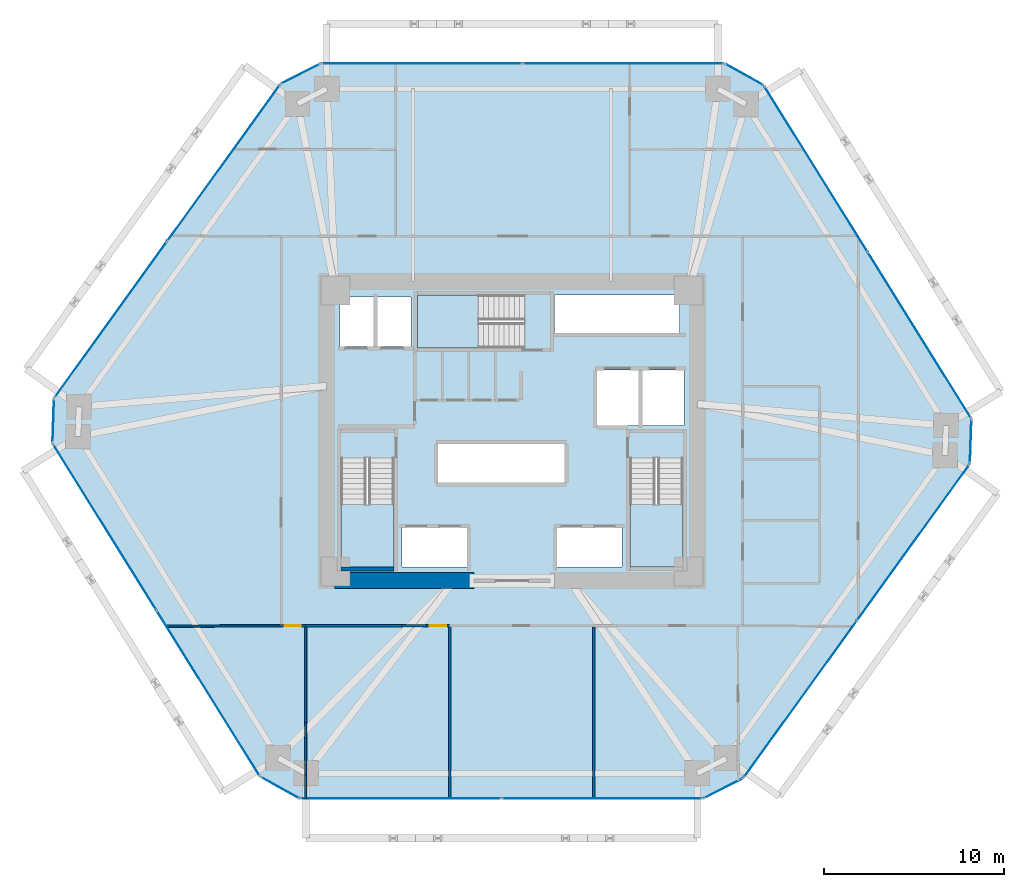
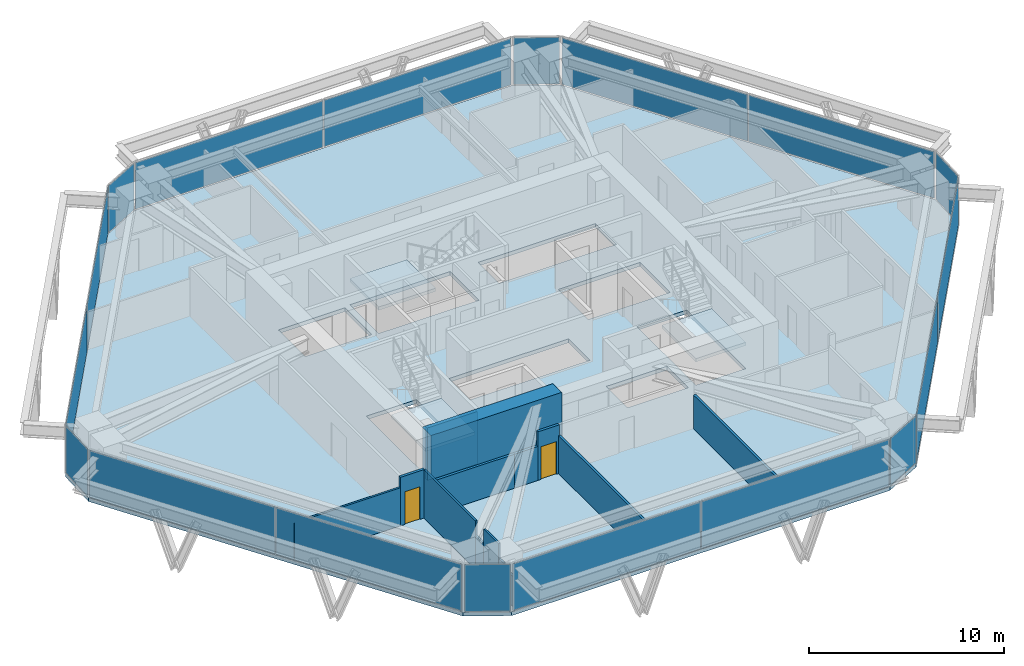
# One storey, part 10 of 15: 18 plates, 14 walls, 4 slabs, 2 doors, 2 openings, 15 elements without a shape of their own.
"""IFC4 building model written with IfcOpenShell, lengths in metres."""

from ifc_helpers import new_model, si_unit, direction, frame, frame_2d, origin, origin_2d, place, context, subcontext, project, spatial, polyline, rectangle, outline, extrude, source, transform, mapped, material, layer, layer_set, type_object, type_shapes, element, fill, aggregate, save


model = new_model("IFC4")

# Units and contexts
model_context = context("Model", 3, precision=1e-05, world=origin(), true_north=direction((0.0, 1.0)))
body_context = subcontext(model_context, "Body", "Model", "MODEL_VIEW")
ifc_project = project(units=[si_unit("LENGTHUNIT", "METRE"), si_unit("AREAUNIT", "SQUARE_METRE"), si_unit("VOLUMEUNIT", "CUBIC_METRE"), si_unit("PLANEANGLEUNIT", "RADIAN"), si_unit("MASSUNIT", "GRAM", prefix="KILO")], contexts=[model_context])

# Site, building, storey
site_placement = place(None, origin())
site = spatial("IfcSite", under=ifc_project, at=site_placement, CompositionType="ELEMENT")
building_placement = place(site_placement, origin())
building = spatial("IfcBuilding", under=site, at=building_placement, Name="Durnholm Broadcast Tower", CompositionType="ELEMENT")
storey_placement = place(building_placement, frame((0.0, 0.0, 55.5)))
storey = spatial("IfcBuildingStorey", under=building, at=storey_placement, Name="L13", CompositionType="ELEMENT", Elevation=55.5)

# Slab
ifc_material_1 = material(Name="Concrete C50/60", Category="concrete")
ifc_layer_1 = layer(ifc_material_1, 0.239990234375)
ifc_layer_set_1 = layer_set([ifc_layer_1], Name="Concrete C50/60")
slab_type_1 = type_object("IfcSlabType", Name="SLAB-FLR-240", PredefinedType="FLOOR", material=ifc_layer_set_1)
slab_1_placement = place(storey_placement, frame((0.0, 0.0, -0.239990234375)))
element("IfcSlab", 1, at=slab_1_placement, inside=storey, type_object=slab_type_1, Name="L13 structural floor slab", PredefinedType="FLOOR", context=body_context, shape_type="SweptSolid", body=[
    extrude(outline(polyline([(-13.9794921875, -19.186279296875), (-11.793701171875, -20.39990234375), (10.6201171875, -20.39990234375), (12.845703125, -19.260986328125), (25.419921875, -1.820556640625), (25.50439453125, 0.677978515625), (13.9794921875, 19.186279296875), (11.793701171875, 20.39990234375), (-10.6201171875, 20.39990234375), (-12.845703125, 19.260986328125), (-25.419921875, 1.820556640625), (-25.50439453125, -0.677978515625), (-13.9794921875, -19.186279296875)]), holes=[polyline([(-2.5, -5.35009765625), (-6.10009765625, -5.35009765625), (-6.10009765625, -7.550048828125), (-2.5, -7.550048828125), (-2.5, -5.35009765625)]), polyline([(6.10009765625, -5.35009765625), (2.5, -5.35009765625), (2.5, -7.550048828125), (6.10009765625, -7.550048828125), (6.10009765625, -5.35009765625)]), polyline([(-6.5400390625, -7.550048828125), (-6.5400390625, -1.5), (-9.5, -1.5), (-9.5, -7.550048828125), (-6.5400390625, -7.550048828125)]), polyline([(9.5, -7.550048828125), (9.5, -1.5), (6.5400390625, -1.5), (6.5400390625, -7.550048828125), (9.5, -7.550048828125)]), polyline([(2.949951171875, -0.699951171875), (-4.14990234375, -0.699951171875), (-4.14990234375, -2.89990234375), (2.949951171875, -2.89990234375), (2.949951171875, -0.699951171875)]), polyline([(9.550048828125, 3.39990234375), (4.699951171875, 3.39990234375), (4.699951171875, 0.300048828125), (9.550048828125, 0.300048828125), (9.550048828125, 3.39990234375)]), polyline([(-5.60009765625, 7.449951171875), (-9.550048828125, 7.449951171875), (-9.550048828125, 4.699951171875), (-5.60009765625, 4.699951171875), (-5.60009765625, 7.449951171875)]), polyline([(-5.25, 7.56005859375), (-5.25, 4.60009765625), (0.699951171875, 4.60009765625), (0.699951171875, 7.56005859375), (-5.25, 7.56005859375)]), polyline([(9.31005859375, 5.39990234375), (9.31005859375, 7.550048828125), (2.35009765625, 7.550048828125), (2.35009765625, 5.39990234375), (9.31005859375, 5.39990234375)])]), origin(), (0.0, 0.0, 1.0), 0.239990234375),
])

# Stair, slab
stair_type = type_object("IfcStairType", Name="STAIR-DL-20R1650", PredefinedType="HALF_TURN_STAIR", material=ifc_material_1)
stair_1_placement = place(storey_placement, origin())
stair_1 = element("IfcStair", 2, at=stair_1_placement, inside=storey, type_object=stair_type, Name="L13 ST-1", PredefinedType="HALF_TURN_STAIR")
ifc_layer_2 = layer(ifc_material_1, 0.199951171875)
ifc_layer_set_2 = layer_set([ifc_layer_2], Name="Concrete C50/60")
slab_type_2 = type_object("IfcSlabType", Name="SLAB-LND-200", PredefinedType="LANDING", material=ifc_layer_set_2)
slab_2_placement = place(storey_placement, frame((0.0, 0.0, 1.449951171875)))
slab_2 = element("IfcSlab", 3, at=slab_2_placement, type_object=slab_type_2, Name="ST-1 landing 1", PredefinedType="LANDING", context=body_context, shape_type="SweptSolid", body=[
    extrude(outline(polyline([(-9.5, -4.06494140625), (-9.5, -7.550048828125), (-6.5400390625, -7.550048828125), (-6.5400390625, -4.06494140625), (-9.5, -4.06494140625)])), origin(), (0.0, 0.0, 1.0), 0.199951171875),
])
aggregate(stair_1, [slab_2])

stair_2_placement = place(storey_placement, origin())
stair_2 = element("IfcStair", 4, at=stair_2_placement, inside=storey, type_object=stair_type, Name="L13 ST-2", PredefinedType="HALF_TURN_STAIR")
slab_3_placement = place(storey_placement, frame((0.0, 0.0, 1.449951171875)))
slab_3 = element("IfcSlab", 5, at=slab_3_placement, type_object=slab_type_2, Name="ST-2 landing 1", PredefinedType="LANDING", context=body_context, shape_type="SweptSolid", body=[
    extrude(outline(polyline([(6.5400390625, -4.06494140625), (6.5400390625, -7.550048828125), (9.5, -7.550048828125), (9.5, -4.06494140625), (6.5400390625, -4.06494140625)])), origin(), (0.0, 0.0, 1.0), 0.199951171875),
])
aggregate(stair_2, [slab_3])

stair_3_placement = place(storey_placement, origin())
stair_3 = element("IfcStair", 6, at=stair_3_placement, inside=storey, type_object=stair_type, Name="L13 ST-3", PredefinedType="HALF_TURN_STAIR")
slab_4_placement = place(storey_placement, frame((0.0, 0.0, 1.449951171875)))
slab_4 = element("IfcSlab", 7, at=slab_4_placement, type_object=slab_type_2, Name="ST-3 landing 1", PredefinedType="LANDING", context=body_context, shape_type="SweptSolid", body=[
    extrude(outline(polyline([(-1.864990234375, 7.56005859375), (-5.25, 7.56005859375), (-5.25, 4.60009765625), (-1.864990234375, 4.60009765625), (-1.864990234375, 7.56005859375)])), origin(), (0.0, 0.0, 1.0), 0.199951171875),
])
aggregate(stair_3, [slab_4])

# Curtain wall, plate
ifc_material_2 = material(Name="Aluminium and Solar Control IGU", Category="aluminium")
ifc_layer_3 = layer(ifc_material_2, 0.1650390625)
ifc_layer_set_3 = layer_set([ifc_layer_3], Name="Aluminium and Solar Control IGU")
curtain_wall_type_1 = type_object("IfcCurtainWallType", Name="CW-SYS-5", PredefinedType="NOTDEFINED", material=ifc_layer_set_3)
curtain_wall_1_placement = place(storey_placement, origin())
curtain_wall_1 = element("IfcCurtainWall", 8, at=curtain_wall_1_placement, inside=storey, type_object=curtain_wall_type_1, Name="L13 curtain wall CW-CORNER CW-L13-CRN-01", PredefinedType="NOTDEFINED")
ifc_material_3 = material(Name="Low-E Laminated Insulating Glass", Category="glass")
ifc_layer_4 = layer(ifc_material_3, 0.030029296875)
ifc_layer_set_4 = layer_set([ifc_layer_4], Name="Low-E Laminated Insulating Glass")
plate_type_1 = type_object("IfcPlateType", Name="CW-SYS-5-PNL", PredefinedType="CURTAIN_PANEL", material=ifc_layer_set_4)
shared_shape_1 = source(origin(), body_context, "Body", "SweptSolid", [
    extrude(rectangle(XDim=2.3701171875, YDim=0.030029296875, at=origin_2d()), origin(), (0.0, 0.0, 1.0), 2.929931640625),
])
plate_1_placement = place(storey_placement, frame((-25.462158203125, 0.5712890625, 0.06494140625), z_axis=(0.0, 0.0, 1.0), x_axis=(0.033839569233, 0.999427277772, 0.0)))
plate_1 = element("IfcPlate", 9, at=plate_1_placement, type_object=plate_type_1, Name="CW-CORNER panel 1.1", PredefinedType="CURTAIN_PANEL", context=body_context, shape_type="MappedRepresentation", body=[
    mapped(shared_shape_1, transform((0.0, 0.0, 0.0), x_axis=(1.0, 0.0, 0.0), y_axis=(0.0, 1.0, 0.0), z_axis=(0.0, 0.0, 1.0), scale=1.0)),
])
aggregate(curtain_wall_1, [plate_1])

curtain_wall_2_placement = place(storey_placement, origin())
curtain_wall_2 = element("IfcCurtainWall", 10, at=curtain_wall_2_placement, inside=storey, type_object=curtain_wall_type_1, Name="L13 curtain wall CW-CORNER CW-L13-CRN-03", PredefinedType="NOTDEFINED")
plate_2_placement = place(storey_placement, frame((-11.73291015625, 19.83056640625, 0.06494140625), z_axis=(0.0, 0.0, 1.0), x_axis=(0.890187804512, 0.455593758406, 0.0)))
plate_2 = element("IfcPlate", 11, at=plate_2_placement, type_object=plate_type_1, Name="CW-CORNER panel 1.1", PredefinedType="CURTAIN_PANEL", context=body_context, shape_type="MappedRepresentation", body=[
    mapped(shared_shape_1, transform((0.0, 0.0, 0.0), x_axis=(1.0, 0.0, 0.0), y_axis=(0.0, 1.0, 0.0), z_axis=(0.0, 0.0, 1.0), scale=1.0)),
])
aggregate(curtain_wall_2, [plate_2])

curtain_wall_3_placement = place(storey_placement, origin())
curtain_wall_3 = element("IfcCurtainWall", 12, at=curtain_wall_3_placement, inside=storey, type_object=curtain_wall_type_1, Name="L13 curtain wall CW-CORNER CW-L13-CRN-07", PredefinedType="NOTDEFINED")
plate_3_placement = place(storey_placement, frame((25.462158203125, -0.5712890625, 0.06494140625), z_axis=(0.0, 0.0, 1.0), x_axis=(-0.033839569233, -0.999427277772, 0.0)))
plate_3 = element("IfcPlate", 13, at=plate_3_placement, type_object=plate_type_1, Name="CW-CORNER panel 1.1", PredefinedType="CURTAIN_PANEL", context=body_context, shape_type="MappedRepresentation", body=[
    mapped(shared_shape_1, transform((0.0, 0.0, 0.0), x_axis=(1.0, 0.0, 0.0), y_axis=(0.0, 1.0, 0.0), z_axis=(0.0, 0.0, 1.0), scale=1.0)),
])
aggregate(curtain_wall_3, [plate_3])

curtain_wall_4_placement = place(storey_placement, origin())
curtain_wall_4 = element("IfcCurtainWall", 14, at=curtain_wall_4_placement, inside=storey, type_object=curtain_wall_type_1, Name="L13 curtain wall CW-CORNER CW-L13-CRN-09", PredefinedType="NOTDEFINED")
plate_4_placement = place(storey_placement, frame((11.73291015625, -19.83056640625, 0.06494140625), z_axis=(0.0, 0.0, 1.0), x_axis=(-0.890187804512, -0.455593758406, 0.0)))
plate_4 = element("IfcPlate", 15, at=plate_4_placement, type_object=plate_type_1, Name="CW-CORNER panel 1.1", PredefinedType="CURTAIN_PANEL", context=body_context, shape_type="MappedRepresentation", body=[
    mapped(shared_shape_1, transform((0.0, 0.0, 0.0), x_axis=(1.0, 0.0, 0.0), y_axis=(0.0, 1.0, 0.0), z_axis=(0.0, 0.0, 1.0), scale=1.0)),
])
aggregate(curtain_wall_4, [plate_4])

# Curtain wall, plates
ifc_layer_5 = layer(ifc_material_2, 0.18994140625)
ifc_layer_set_5 = layer_set([ifc_layer_5], Name="Aluminium and Solar Control IGU")
curtain_wall_type_2 = type_object("IfcCurtainWallType", Name="CW-SYS-3", PredefinedType="NOTDEFINED", material=ifc_layer_set_5)
curtain_wall_5_placement = place(storey_placement, origin())
curtain_wall_5 = element("IfcCurtainWall", 16, at=curtain_wall_5_placement, inside=storey, type_object=curtain_wall_type_2, Name="L13 curtain wall CW-Z12-VIS CW-L13-F02", PredefinedType="NOTDEFINED")
ifc_layer_6 = layer(ifc_material_3, 0.031982421875)
ifc_layer_set_6 = layer_set([ifc_layer_6], Name="Low-E Laminated Insulating Glass")
plate_type_2 = type_object("IfcPlateType", Name="CW-SYS-3-PNL", PredefinedType="CURTAIN_PANEL", material=ifc_layer_set_6)
shared_shape_2 = source(origin(), body_context, "Body", "SweptSolid", [
    extrude(rectangle(XDim=10.645263671875, YDim=0.031982421875, at=origin_2d()), origin(), (0.0, 0.0, 1.0), 2.919921875),
])
plate_5_placement = place(storey_placement, frame((-22.26611328125, 6.19482421875, 0.070068359375), z_axis=(0.0, 0.0, 1.0), x_axis=(0.584823496176, 0.81116057493, 0.0)))
plate_5 = element("IfcPlate", 17, at=plate_5_placement, type_object=plate_type_2, Name="CW-Z12-VIS panel 1.1", PredefinedType="CURTAIN_PANEL", context=body_context, shape_type="MappedRepresentation", body=[
    mapped(shared_shape_2, transform((0.0, 0.0, 0.0), x_axis=(1.0, 0.0, 0.0), y_axis=(0.0, 1.0, 0.0), z_axis=(0.0, 0.0, 1.0), scale=1.0)),
])
plate_6_placement = place(storey_placement, frame((-15.99951171875, 14.88671875, 0.070068359375), z_axis=(0.0, 0.0, 1.0), x_axis=(0.584823496176, 0.81116057493, 0.0)))
plate_6 = element("IfcPlate", 18, at=plate_6_placement, type_object=plate_type_2, Name="CW-Z12-VIS panel 2.1", PredefinedType="CURTAIN_PANEL", context=body_context, shape_type="MappedRepresentation", body=[
    mapped(shared_shape_2, transform((0.0, 0.0, 0.0), x_axis=(1.0, 0.0, 0.0), y_axis=(0.0, 1.0, 0.0), z_axis=(0.0, 0.0, 1.0), scale=1.0)),
])
aggregate(curtain_wall_5, [plate_5, plate_6])

curtain_wall_6_placement = place(storey_placement, origin())
curtain_wall_6 = element("IfcCurtainWall", 19, at=curtain_wall_6_placement, inside=storey, type_object=curtain_wall_type_2, Name="L13 curtain wall CW-Z12-VIS CW-L13-F08", PredefinedType="NOTDEFINED")
plate_7_placement = place(storey_placement, frame((22.26611328125, -6.19482421875, 0.070068359375), z_axis=(0.0, 0.0, 1.0), x_axis=(-0.584823496176, -0.81116057493, 0.0)))
plate_7 = element("IfcPlate", 20, at=plate_7_placement, type_object=plate_type_2, Name="CW-Z12-VIS panel 1.1", PredefinedType="CURTAIN_PANEL", context=body_context, shape_type="MappedRepresentation", body=[
    mapped(shared_shape_2, transform((0.0, 0.0, 0.0), x_axis=(1.0, 0.0, 0.0), y_axis=(0.0, 1.0, 0.0), z_axis=(0.0, 0.0, 1.0), scale=1.0)),
])
plate_8_placement = place(storey_placement, frame((15.99951171875, -14.88671875, 0.070068359375), z_axis=(0.0, 0.0, 1.0), x_axis=(-0.584823496176, -0.81116057493, 0.0)))
plate_8 = element("IfcPlate", 21, at=plate_8_placement, type_object=plate_type_2, Name="CW-Z12-VIS panel 2.1", PredefinedType="CURTAIN_PANEL", context=body_context, shape_type="MappedRepresentation", body=[
    mapped(shared_shape_2, transform((0.0, 0.0, 0.0), x_axis=(1.0, 0.0, 0.0), y_axis=(0.0, 1.0, 0.0), z_axis=(0.0, 0.0, 1.0), scale=1.0)),
])
aggregate(curtain_wall_6, [plate_7, plate_8])

# Curtain wall, plate
curtain_wall_7_placement = place(storey_placement, origin())
curtain_wall_7 = element("IfcCurtainWall", 22, at=curtain_wall_7_placement, inside=storey, type_object=curtain_wall_type_1, Name="L13 curtain wall CW-CORNER CW-L13-CRN-05", PredefinedType="NOTDEFINED")
shared_shape_3 = source(origin(), body_context, "Body", "SweptSolid", [
    extrude(rectangle(XDim=2.369873046875, YDim=0.030029296875, at=origin_2d()), origin(), (0.0, 0.0, 1.0), 2.929931640625),
])
type_shapes(plate_type_1, [shared_shape_1, shared_shape_3])
plate_9_placement = place(storey_placement, frame((12.88671875, 19.793212890625, 0.06494140625), z_axis=(0.0, 0.0, 1.0), x_axis=(0.874245941394, -0.485483299359, 0.0)))
plate_9 = element("IfcPlate", 23, at=plate_9_placement, type_object=plate_type_1, Name="CW-CORNER panel 1.1", PredefinedType="CURTAIN_PANEL", context=body_context, shape_type="MappedRepresentation", body=[
    mapped(shared_shape_3, transform((0.0, 0.0, 0.0), x_axis=(1.0, 0.0, 0.0), y_axis=(0.0, 1.0, 0.0), z_axis=(0.0, 0.0, 1.0), scale=1.0)),
])
aggregate(curtain_wall_7, [plate_9])

curtain_wall_8_placement = place(storey_placement, origin())
curtain_wall_8 = element("IfcCurtainWall", 24, at=curtain_wall_8_placement, inside=storey, type_object=curtain_wall_type_1, Name="L13 curtain wall CW-CORNER CW-L13-CRN-11", PredefinedType="NOTDEFINED")
plate_10_placement = place(storey_placement, frame((-12.88671875, -19.793212890625, 0.06494140625), z_axis=(0.0, 0.0, 1.0), x_axis=(-0.874245941394, 0.485483299359, 0.0)))
plate_10 = element("IfcPlate", 25, at=plate_10_placement, type_object=plate_type_1, Name="CW-CORNER panel 1.1", PredefinedType="CURTAIN_PANEL", context=body_context, shape_type="MappedRepresentation", body=[
    mapped(shared_shape_3, transform((0.0, 0.0, 0.0), x_axis=(1.0, 0.0, 0.0), y_axis=(0.0, 1.0, 0.0), z_axis=(0.0, 0.0, 1.0), scale=1.0)),
])
aggregate(curtain_wall_8, [plate_10])

# Curtain wall, plates
curtain_wall_9_placement = place(storey_placement, origin())
curtain_wall_9 = element("IfcCurtainWall", 26, at=curtain_wall_9_placement, inside=storey, type_object=curtain_wall_type_2, Name="L13 curtain wall CW-Z12-VIS CW-L13-F06", PredefinedType="NOTDEFINED")
shared_shape_4 = source(origin(), body_context, "Body", "SweptSolid", [
    extrude(rectangle(XDim=10.796630859375, YDim=0.031982421875, at=origin_2d()), origin(), (0.0, 0.0, 1.0), 2.919921875),
])
plate_11_placement = place(storey_placement, frame((16.869873046875, 14.54443359375, 0.070068359375), z_axis=(0.0, 0.0, 1.0), x_axis=(0.528592376777, -0.848875785503, 0.0)))
plate_11 = element("IfcPlate", 27, at=plate_11_placement, type_object=plate_type_2, Name="CW-Z12-VIS panel 1.1", PredefinedType="CURTAIN_PANEL", context=body_context, shape_type="MappedRepresentation", body=[
    mapped(shared_shape_4, transform((0.0, 0.0, 0.0), x_axis=(1.0, 0.0, 0.0), y_axis=(0.0, 1.0, 0.0), z_axis=(0.0, 0.0, 1.0), scale=1.0)),
])
plate_12_placement = place(storey_placement, frame((22.614013671875, 5.320068359375, 0.070068359375), z_axis=(0.0, 0.0, 1.0), x_axis=(0.528592376777, -0.848875785503, 0.0)))
plate_12 = element("IfcPlate", 28, at=plate_12_placement, type_object=plate_type_2, Name="CW-Z12-VIS panel 2.1", PredefinedType="CURTAIN_PANEL", context=body_context, shape_type="MappedRepresentation", body=[
    mapped(shared_shape_4, transform((0.0, 0.0, 0.0), x_axis=(1.0, 0.0, 0.0), y_axis=(0.0, 1.0, 0.0), z_axis=(0.0, 0.0, 1.0), scale=1.0)),
])
aggregate(curtain_wall_9, [plate_11, plate_12])

curtain_wall_10_placement = place(storey_placement, origin())
curtain_wall_10 = element("IfcCurtainWall", 29, at=curtain_wall_10_placement, inside=storey, type_object=curtain_wall_type_2, Name="L13 curtain wall CW-Z12-VIS CW-L13-F12", PredefinedType="NOTDEFINED")
plate_13_placement = place(storey_placement, frame((-16.869873046875, -14.54443359375, 0.070068359375), z_axis=(0.0, 0.0, 1.0), x_axis=(-0.528592376777, 0.848875785503, 0.0)))
plate_13 = element("IfcPlate", 30, at=plate_13_placement, type_object=plate_type_2, Name="CW-Z12-VIS panel 1.1", PredefinedType="CURTAIN_PANEL", context=body_context, shape_type="MappedRepresentation", body=[
    mapped(shared_shape_4, transform((0.0, 0.0, 0.0), x_axis=(1.0, 0.0, 0.0), y_axis=(0.0, 1.0, 0.0), z_axis=(0.0, 0.0, 1.0), scale=1.0)),
])
plate_14_placement = place(storey_placement, frame((-22.614013671875, -5.320068359375, 0.070068359375), z_axis=(0.0, 0.0, 1.0), x_axis=(-0.528592376777, 0.848875785503, 0.0)))
plate_14 = element("IfcPlate", 31, at=plate_14_placement, type_object=plate_type_2, Name="CW-Z12-VIS panel 2.1", PredefinedType="CURTAIN_PANEL", context=body_context, shape_type="MappedRepresentation", body=[
    mapped(shared_shape_4, transform((0.0, 0.0, 0.0), x_axis=(1.0, 0.0, 0.0), y_axis=(0.0, 1.0, 0.0), z_axis=(0.0, 0.0, 1.0), scale=1.0)),
])
aggregate(curtain_wall_10, [plate_13, plate_14])

curtain_wall_11_placement = place(storey_placement, origin())
curtain_wall_11 = element("IfcCurtainWall", 32, at=curtain_wall_11_placement, inside=storey, type_object=curtain_wall_type_2, Name="L13 curtain wall CW-Z12-VIS CW-L13-F04", PredefinedType="NOTDEFINED")
shared_shape_5 = source(origin(), body_context, "Body", "SweptSolid", [
    extrude(rectangle(XDim=11.10205078125, YDim=0.031982421875, at=origin_2d()), origin(), (0.0, 0.0, 1.0), 2.919921875),
])
type_shapes(plate_type_2, [shared_shape_2, shared_shape_4, shared_shape_5])
plate_15_placement = place(storey_placement, frame((-4.999267578125, 20.39990234375, 0.070068359375), z_axis=(0.0, 0.0, 1.0), x_axis=(1.0, 0.0, 0.0)))
plate_15 = element("IfcPlate", 33, at=plate_15_placement, type_object=plate_type_2, Name="CW-Z12-VIS panel 1.1", PredefinedType="CURTAIN_PANEL", context=body_context, shape_type="MappedRepresentation", body=[
    mapped(shared_shape_5, transform((0.0, 0.0, 0.0), x_axis=(1.0, 0.0, 0.0), y_axis=(0.0, 1.0, 0.0), z_axis=(0.0, 0.0, 1.0), scale=1.0)),
])
plate_16_placement = place(storey_placement, frame((6.1728515625, 20.39990234375, 0.070068359375), z_axis=(0.0, 0.0, 1.0), x_axis=(1.0, 0.0, 0.0)))
plate_16 = element("IfcPlate", 34, at=plate_16_placement, type_object=plate_type_2, Name="CW-Z12-VIS panel 2.1", PredefinedType="CURTAIN_PANEL", context=body_context, shape_type="MappedRepresentation", body=[
    mapped(shared_shape_5, transform((0.0, 0.0, 0.0), x_axis=(1.0, 0.0, 0.0), y_axis=(0.0, 1.0, 0.0), z_axis=(0.0, 0.0, 1.0), scale=1.0)),
])
aggregate(curtain_wall_11, [plate_15, plate_16])

curtain_wall_12_placement = place(storey_placement, origin())
curtain_wall_12 = element("IfcCurtainWall", 35, at=curtain_wall_12_placement, inside=storey, type_object=curtain_wall_type_2, Name="L13 curtain wall CW-Z12-VIS CW-L13-F10", PredefinedType="NOTDEFINED")
plate_17_placement = place(storey_placement, frame((4.999267578125, -20.39990234375, 0.070068359375), z_axis=(0.0, 0.0, 1.0), x_axis=(-1.0, 0.0, 0.0)))
plate_17 = element("IfcPlate", 36, at=plate_17_placement, type_object=plate_type_2, Name="CW-Z12-VIS panel 1.1", PredefinedType="CURTAIN_PANEL", context=body_context, shape_type="MappedRepresentation", body=[
    mapped(shared_shape_5, transform((0.0, 0.0, 0.0), x_axis=(1.0, 0.0, 0.0), y_axis=(0.0, 1.0, 0.0), z_axis=(0.0, 0.0, 1.0), scale=1.0)),
])
plate_18_placement = place(storey_placement, frame((-6.1728515625, -20.39990234375, 0.070068359375), z_axis=(0.0, 0.0, 1.0), x_axis=(-1.0, 0.0, 0.0)))
plate_18 = element("IfcPlate", 37, at=plate_18_placement, type_object=plate_type_2, Name="CW-Z12-VIS panel 2.1", PredefinedType="CURTAIN_PANEL", context=body_context, shape_type="MappedRepresentation", body=[
    mapped(shared_shape_5, transform((0.0, 0.0, 0.0), x_axis=(1.0, 0.0, 0.0), y_axis=(0.0, 1.0, 0.0), z_axis=(0.0, 0.0, 1.0), scale=1.0)),
])
aggregate(curtain_wall_12, [plate_17, plate_18])

# Walls
ifc_material_4 = material(Name="Concrete C70/85", Category="concrete")
ifc_layer_7 = layer(ifc_material_4, 0.89990234375)
ifc_layer_set_7 = layer_set([ifc_layer_7], Name="Concrete C70/85")
wall_type_1 = type_object("IfcWallType", Name="WALL-CW-900", PredefinedType="SHEAR", material=ifc_layer_set_7)
wall_1_placement = place(storey_placement, frame((-9.85009765625, -8.300048828125, 0.0), z_axis=(0.0, 0.0, 1.0), x_axis=(1.0, 0.0, 0.0)))
element("IfcWall", 38, at=wall_1_placement, inside=storey, type_object=wall_type_1, Name="L13 central core shear wall CW-S1", PredefinedType="SHEAR", context=body_context, shape_type="SweptSolid", body=[
    extrude(rectangle(XDim=7.75, YDim=0.89990234375, at=frame_2d((3.875, 0.0))), origin(), (0.0, 0.0, 1.0), 3.300048828125),
])
ifc_material_5 = material(Name="Operable Acoustic Panel Partition", Category="aluminium")
ifc_layer_8 = layer(ifc_material_5, 0.110107421875)
ifc_layer_set_8 = layer_set([ifc_layer_8], Name="Operable Acoustic Panel Partition")
wall_type_2 = type_object("IfcWallType", Name="WALL-MOV-110", PredefinedType="MOVABLE", material=ifc_layer_set_8)
wall_2_placement = place(storey_placement, frame((-11.4599609375, -10.888916015625, 0.0), z_axis=(0.0, 0.0, 1.0), x_axis=(0.0, -1.0, 0.0)))
element("IfcWall", 39, at=wall_2_placement, inside=storey, type_object=wall_type_2, Name="L13 room dividing partition 13.14", PredefinedType="MOVABLE", context=body_context, shape_type="SweptSolid", body=[
    extrude(rectangle(XDim=5.289794921875, YDim=0.110107421875, at=frame_2d((2.64501953125, 0.0))), origin(), (0.0, 0.0, 1.0), 3.044921875),
])
wall_3_placement = place(storey_placement, frame((-11.4599609375, -17.035400390625, 0.0), z_axis=(0.0, 0.0, 1.0), x_axis=(0.0, -1.0, 0.0)))
element("IfcWall", 40, at=wall_3_placement, inside=storey, type_object=wall_type_2, Name="L13 room dividing partition 13.14", PredefinedType="MOVABLE", context=body_context, shape_type="SweptSolid", body=[
    extrude(rectangle(XDim=1.506591796875, YDim=0.110107421875, at=frame_2d((0.75341796875, 0.0))), origin(), (0.0, 0.0, 1.0), 3.044921875),
])
wall_4_placement = place(storey_placement, frame((-11.4599609375, -16.1787109375, 0.0), z_axis=(0.0, 0.0, 1.0), x_axis=(0.0, -1.0, 0.0)))
element("IfcWall", 41, at=wall_4_placement, inside=storey, type_object=wall_type_2, Name="L13 room dividing partition 13.14", PredefinedType="MOVABLE", context=body_context, shape_type="SweptSolid", body=[
    extrude(rectangle(XDim=0.856689453125, YDim=0.110107421875, at=frame_2d((0.42822265625, 0.0))), origin(), (0.0, 0.0, 1.0), 2.130126953125),
])
wall_5_placement = place(storey_placement, frame((-11.4599609375, -18.5419921875, 0.0), z_axis=(0.0, 0.0, 1.0), x_axis=(0.0, -1.0, 0.0)))
element("IfcWall", 42, at=wall_5_placement, inside=storey, type_object=wall_type_2, Name="L13 room dividing partition 13.14", PredefinedType="MOVABLE", context=body_context, shape_type="SweptSolid", body=[
    extrude(rectangle(XDim=0.511474609375, YDim=0.110107421875, at=frame_2d((0.255859375, 0.0))), origin(), (0.0, 0.0, 1.0), 2.130126953125),
])
wall_6_placement = place(storey_placement, frame((-11.4599609375, -19.083984375, 0.0), z_axis=(0.0, 0.0, 1.0), x_axis=(0.0, -1.0, 0.0)))
element("IfcWall", 43, at=wall_6_placement, inside=storey, type_object=wall_type_2, Name="L13 room dividing partition 13.14", PredefinedType="MOVABLE", context=body_context, shape_type="SweptSolid", body=[
    extrude(rectangle(XDim=1.31591796875, YDim=0.110107421875, at=frame_2d((0.657958984375, 0.0))), origin(), (0.0, 0.0, 1.0), 1.877197265625),
])
wall_7_placement = place(storey_placement, frame((-19.18212890625, -10.831298828125, 0.0), z_axis=(0.0, 0.0, 1.0), x_axis=(0.999994432845, 0.003336806783, 0.0)))
element("IfcWall", 44, at=wall_7_placement, inside=storey, type_object=wall_type_2, Name="L13 room dividing partition 13.18", PredefinedType="MOVABLE", context=body_context, shape_type="SweptSolid", body=[
    extrude(rectangle(XDim=6.292236328125, YDim=0.110107421875, at=frame_2d((3.14599609375, 0.0))), origin(), (0.0, 0.0, 1.0), 2.3798828125),
])
ifc_material_6 = material(Name="Gypsum Metal Stud Partition", Category="concrete")
ifc_layer_9 = layer(ifc_material_6, 0.135009765625)
ifc_layer_set_9 = layer_set([ifc_layer_9], Name="Gypsum Metal Stud Partition")
wall_type_3 = type_object("IfcWallType", Name="WALL-PART-135", PredefinedType="PARTITIONING", material=ifc_layer_set_9)
wall_8_placement = place(storey_placement, frame((-3.4599609375, -10.888916015625, 0.0), z_axis=(0.0, 0.0, 1.0), x_axis=(0.0, -1.0, 0.0)))
element("IfcWall", 45, at=wall_8_placement, inside=storey, type_object=wall_type_3, Name="L13 room dividing partition 14.15", PredefinedType="PARTITIONING", context=body_context, shape_type="SweptSolid", body=[
    extrude(rectangle(XDim=9.510986328125, YDim=0.135009765625, at=frame_2d((4.75537109375, 0.0))), origin(), (0.0, 0.0, 1.0), 2.3798828125),
])
wall_9_placement = place(storey_placement, frame((4.5400390625, -10.888916015625, 0.0), z_axis=(0.0, 0.0, 1.0), x_axis=(0.0, -1.0, 0.0)))
element("IfcWall", 46, at=wall_9_placement, inside=storey, type_object=wall_type_3, Name="L13 room dividing partition 15.16", PredefinedType="PARTITIONING", context=body_context, shape_type="SweptSolid", body=[
    extrude(rectangle(XDim=9.510986328125, YDim=0.135009765625, at=frame_2d((4.75537109375, 0.0))), origin(), (0.0, 0.0, 1.0), 2.130126953125),
])

# Wall, opening, door
ifc_material_7 = material(Name="Acoustic Gypsum Stud Partition", Category="concrete")
ifc_layer_10 = layer(ifc_material_7, 0.14990234375)
ifc_layer_set_10 = layer_set([ifc_layer_10], Name="Acoustic Gypsum Stud Partition")
wall_type_4 = type_object("IfcWallType", Name="WALL-PART-150", PredefinedType="PARTITIONING", material=ifc_layer_set_10)
wall_10_placement = place(storey_placement, frame((-12.889892578125, -10.81005859375, 0.0), z_axis=(0.0, 0.0, 1.0), x_axis=(1.0, 0.0, 0.0)))
wall_10 = element("IfcWall", 47, at=wall_10_placement, inside=storey, type_object=wall_type_4, Name="L13 Editorial Conference Room corridor partition", PredefinedType="PARTITIONING", context=body_context, shape_type="SweptSolid", body=[
    extrude(rectangle(XDim=1.429931640625, YDim=0.14990234375, at=frame_2d((0.71484375, 0.0))), origin(), (0.0, 0.0, 1.0), 3.044921875),
])
opening_1_placement = place(wall_10_placement, frame((0.264892578125, 0.0, 0.0)))
opening_1 = element("IfcOpeningElement", 48, at=opening_1_placement, cuts=wall_10, Name="Opening DW-90L", PredefinedType="OPENING", context=body_context, shape_type="SweptSolid", body=[
    extrude(rectangle(XDim=0.89990234375, YDim=2.050048828125, at=frame_2d((0.449951171875, 1.02490234375))), frame((0.0, 0.0849609375, 0.0), z_axis=(0.0, -1.0, 0.0), x_axis=(1.0, 0.0, 0.0)), (0.0, 0.0, 1.0), 0.169921875),
])
ifc_material_8 = material(Name="Laminate Restroom Door", Category="steel")
ifc_layer_11 = layer(ifc_material_8, 0.050048828125)
ifc_layer_set_11 = layer_set([ifc_layer_11], Name="Laminate Restroom Door")
door_type_1 = type_object("IfcDoorType", Name="DOOR-WC-900L", OperationType="NOTDEFINED", PredefinedType="DOOR", material=ifc_layer_set_11)
shared_shape_6 = source(origin(), body_context, "Body", "SweptSolid", [
    extrude(rectangle(XDim=0.89990234375, YDim=2.050048828125, at=frame_2d((0.449951171875, 1.02490234375))), frame((0.0, 0.02490234375, 0.0), z_axis=(0.0, -1.0, 0.0), x_axis=(1.0, 0.0, 0.0)), (0.0, 0.0, 1.0), 0.050048828125),
])
type_shapes(door_type_1, [shared_shape_6])
door_1_placement = place(opening_1_placement, origin())
door_1 = element("IfcDoor", 49, at=door_1_placement, inside=storey, type_object=door_type_1, Name="L13 Editorial Conference Room entrance door", OperationType="SINGLE_SWING_LEFT", OverallHeight=2.050048828125, OverallWidth=0.89990234375, PredefinedType="DOOR", context=body_context, shape_type="MappedRepresentation", body=[
    mapped(shared_shape_6, transform((0.0, 0.0, 0.0), x_axis=(1.0, 0.0, 0.0), y_axis=(0.0, 1.0, 0.0), z_axis=(0.0, 0.0, 1.0), scale=1.0)),
])
fill(opening_1, door_1)

# Wall
wall_11_placement = place(storey_placement, frame((-11.4599609375, -10.81005859375, 0.0), z_axis=(0.0, 0.0, 1.0), x_axis=(1.0, 0.0, 0.0)))
element("IfcWall", 50, at=wall_11_placement, inside=storey, type_object=wall_type_4, Name="L13 Crew Dining Room corridor partition", PredefinedType="PARTITIONING", context=body_context, shape_type="SweptSolid", body=[
    extrude(rectangle(XDim=5.33837890625, YDim=0.14990234375, at=frame_2d((2.669189453125, 0.0))), origin(), (0.0, 0.0, 1.0), 2.130126953125),
])

# Wall, opening, door
wall_12_placement = place(storey_placement, frame((-4.749755859375, -10.81005859375, 0.0), z_axis=(0.0, 0.0, 1.0), x_axis=(1.0, 0.0, 0.0)))
wall_12 = element("IfcWall", 51, at=wall_12_placement, inside=storey, type_object=wall_type_4, Name="L13 Crew Dining Room corridor partition", PredefinedType="PARTITIONING", context=body_context, shape_type="SweptSolid", body=[
    extrude(rectangle(XDim=1.289794921875, YDim=0.14990234375, at=frame_2d((0.64501953125, 0.0))), origin(), (0.0, 0.0, 1.0), 3.044921875),
])
opening_2_placement = place(wall_12_placement, frame((0.19482421875, 0.0, 0.0)))
opening_2 = element("IfcOpeningElement", 52, at=opening_2_placement, cuts=wall_12, Name="Opening DW-90R", PredefinedType="OPENING", context=body_context, shape_type="SweptSolid", body=[
    extrude(rectangle(XDim=0.89990234375, YDim=2.050048828125, at=frame_2d((0.449951171875, 1.02490234375))), frame((0.0, 0.0849609375, 0.0), z_axis=(0.0, -1.0, 0.0), x_axis=(1.0, 0.0, 0.0)), (0.0, 0.0, 1.0), 0.169921875),
])
ifc_layer_12 = layer(ifc_material_8, 0.050048828125)
ifc_layer_set_12 = layer_set([ifc_layer_12], Name="Laminate Restroom Door")
door_type_2 = type_object("IfcDoorType", Name="DOOR-WC-900R", OperationType="NOTDEFINED", PredefinedType="DOOR", material=ifc_layer_set_12)
shared_shape_7 = source(origin(), body_context, "Body", "SweptSolid", [
    extrude(rectangle(XDim=0.89990234375, YDim=2.050048828125, at=frame_2d((0.449951171875, 1.02490234375))), frame((0.0, 0.02490234375, 0.0), z_axis=(0.0, -1.0, 0.0), x_axis=(1.0, 0.0, 0.0)), (0.0, 0.0, 1.0), 0.050048828125),
])
type_shapes(door_type_2, [shared_shape_7])
door_2_placement = place(opening_2_placement, origin())
door_2 = element("IfcDoor", 53, at=door_2_placement, inside=storey, type_object=door_type_2, Name="L13 Crew Dining Room entrance door", OperationType="SINGLE_SWING_RIGHT", OverallHeight=2.050048828125, OverallWidth=0.89990234375, PredefinedType="DOOR", context=body_context, shape_type="MappedRepresentation", body=[
    mapped(shared_shape_7, transform((0.0, 0.0, 0.0), x_axis=(1.0, 0.0, 0.0), y_axis=(0.0, 1.0, 0.0), z_axis=(0.0, 0.0, 1.0), scale=1.0)),
])
fill(opening_2, door_2)

# Walls
wall_13_placement = place(storey_placement, frame((-6.12158203125, -10.81005859375, 0.0), z_axis=(0.0, 0.0, 1.0), x_axis=(1.0, 0.0, 0.0)))
element("IfcWall", 54, at=wall_13_placement, inside=storey, type_object=wall_type_4, Name="L13 Crew Dining Room corridor partition", PredefinedType="PARTITIONING", context=body_context, shape_type="SweptSolid", body=[
    extrude(rectangle(XDim=1.371826171875, YDim=0.14990234375, at=frame_2d((0.68603515625, 0.0))), origin(), (0.0, 0.0, 1.0), 2.130126953125),
])
ifc_layer_13 = layer(ifc_material_1, 0.219970703125)
ifc_layer_set_13 = layer_set([ifc_layer_13], Name="Concrete C50/60")
wall_type_5 = type_object("IfcWallType", Name="WALL-SW-220", PredefinedType="SHEAR", material=ifc_layer_set_13)
wall_14_placement = place(storey_placement, frame((-9.5, -7.659912109375, -0.239990234375), z_axis=(0.0, 0.0, 1.0), x_axis=(1.0, 0.0, 0.0)))
element("IfcWall", 55, at=wall_14_placement, inside=storey, type_object=wall_type_5, Name="L13 stair ST-1 structural shaft wall S", PredefinedType="SHEAR", context=body_context, shape_type="SweptSolid", body=[
    extrude(rectangle(XDim=2.9599609375, YDim=0.219970703125, at=frame_2d((1.47998046875, 0.0))), origin(), (0.0, 0.0, 1.0), 3.300048828125),
])

save(model, "model.ifc")
